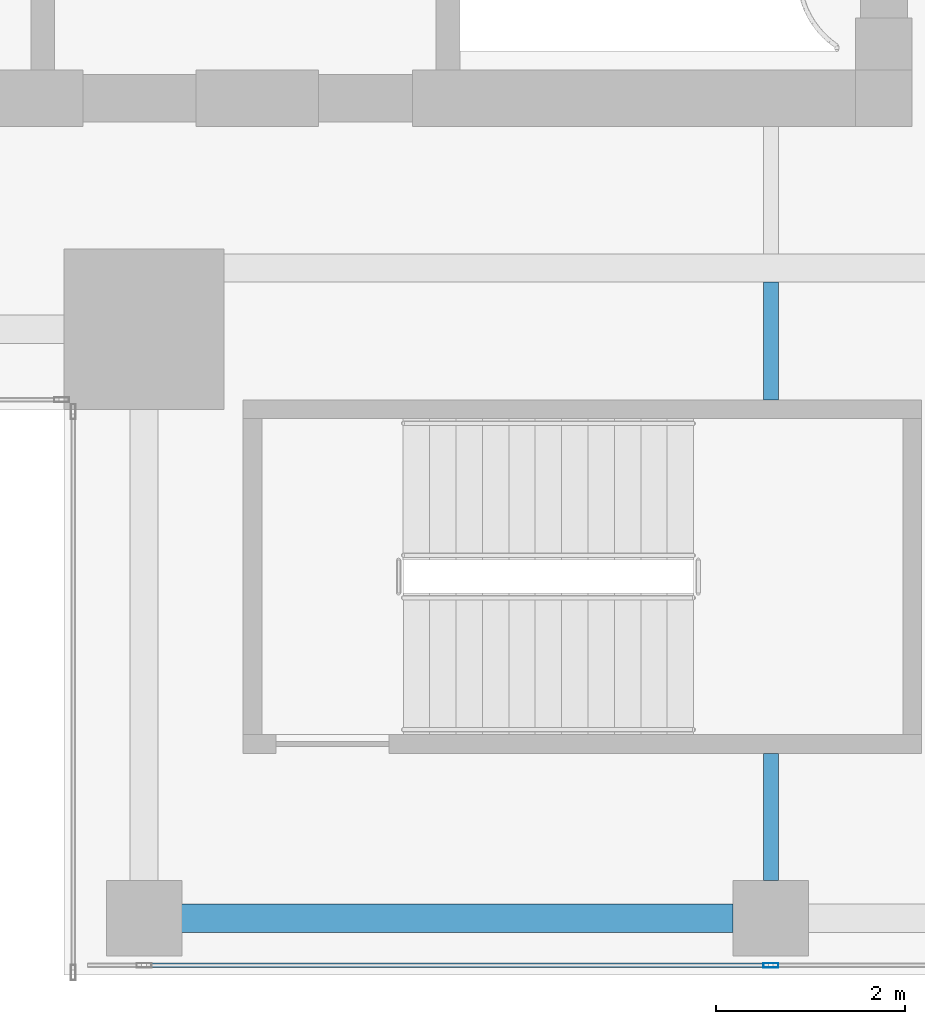
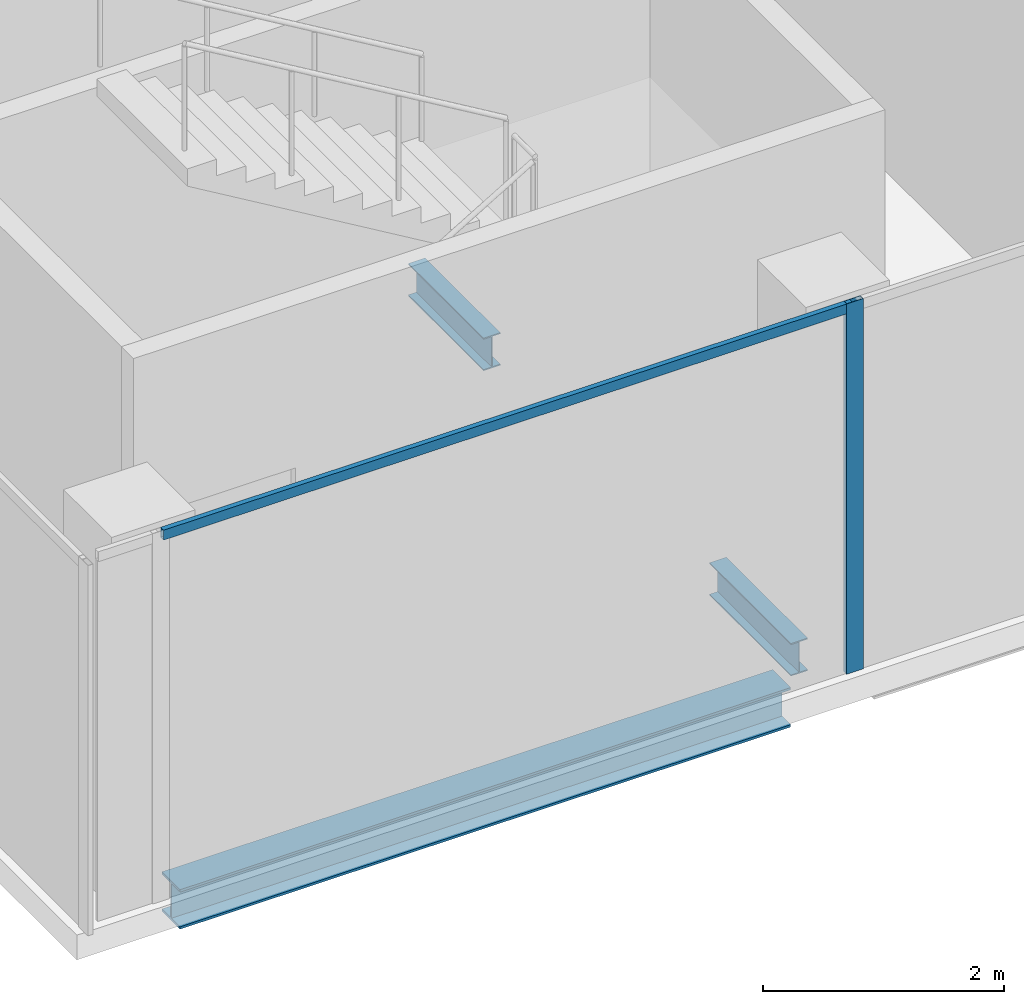
# One storey, part 3 of 29: 3 beams, 2 members, 1 element without a shape of its own.
"""IFC4 building model written with IfcOpenShell, lengths in metres."""

from ifc_helpers import new_model, si_unit, direction, frame, origin, origin_2d, place, context, subcontext, project, spatial, hollow_rectangle, i_section, extrude, source, transform, mapped, material, material_profile, profile_set, type_object, element, aggregate, save


model = new_model("IFC4")

# Units and contexts
model_context = context("Model", 3, precision=1e-05, world=origin(), true_north=direction((0.0, 1.0)))
body_context = subcontext(model_context, "Body", "Model", "MODEL_VIEW")
ifc_project = project(units=[si_unit("LENGTHUNIT", "METRE"), si_unit("AREAUNIT", "SQUARE_METRE"), si_unit("VOLUMEUNIT", "CUBIC_METRE"), si_unit("PLANEANGLEUNIT", "RADIAN"), si_unit("MASSUNIT", "GRAM", prefix="KILO")], contexts=[model_context])

# Site, building, storey
site_placement = place(None, origin())
site = spatial("IfcSite", under=ifc_project, at=site_placement, CompositionType="ELEMENT")
building_placement = place(site_placement, origin())
building = spatial("IfcBuilding", under=site, at=building_placement, Name="Khomas Fold Tower", CompositionType="ELEMENT")
storey_placement = place(building_placement, frame((0.0, 0.0, 322.199951171875)))
storey = spatial("IfcBuildingStorey", under=building, at=storey_placement, Name="L73", CompositionType="ELEMENT", Elevation=322.199951171875)

# Beams
ifc_material_1 = material(Name="Steel S355", Category="steel")
ifc_material_profile_1 = material_profile(ifc_material_1, i_section(OverallWidth=0.159912109375, OverallDepth=0.330078125, WebThickness=0.007568359375, FlangeThickness=0.011474609375, at=origin_2d()), Name="IPE 330")
ifc_profile_set_1 = profile_set([ifc_material_profile_1], Name="Steel S355")
beam_type_1 = type_object("IfcBeamType", Name="IPE 330 beam JB1", PredefinedType="BEAM", material=ifc_profile_set_1)
shared_shape_1 = source(origin(), body_context, "Body", "SweptSolid", [
    extrude(i_section(OverallWidth=0.159912109375, OverallDepth=0.330078125, WebThickness=0.007568359375, FlangeThickness=0.011474609375, at=origin_2d()), origin(), (0.0, 0.0, 1.0), 1.25),
])
beam_1_placement = place(storey_placement, frame((19.5, 12.10009765625, -0.4150390625), z_axis=(0.0, 1.0, 0.0), x_axis=(-1.0, 0.0, 0.0)))
element("IfcBeam", 1, at=beam_1_placement, inside=storey, type_object=beam_type_1, Name="JB1", PredefinedType="BEAM", context=body_context, shape_type="MappedRepresentation", body=[
    mapped(shared_shape_1, transform((0.0, 0.0, 0.0))),
])
shared_shape_2 = source(origin(), body_context, "Body", "SweptSolid", [
    extrude(i_section(OverallWidth=0.159912109375, OverallDepth=0.330078125, WebThickness=0.007568359375, FlangeThickness=0.011474609375, at=origin_2d()), origin(), (0.0, 0.0, 1.0), 1.35009765625),
])
beam_2_placement = place(storey_placement, frame((19.5, 7.0, -0.4150390625), z_axis=(0.0, 1.0, 0.0), x_axis=(-1.0, 0.0, 0.0)))
element("IfcBeam", 2, at=beam_2_placement, inside=storey, type_object=beam_type_1, Name="JB1", PredefinedType="BEAM", context=body_context, shape_type="MappedRepresentation", body=[
    mapped(shared_shape_2, transform((0.0, 0.0, 0.0))),
])
ifc_material_2 = material(Name="Steel S355", Category="steel")
ifc_material_profile_2 = material_profile(ifc_material_2, i_section(OverallWidth=0.300048828125, OverallDepth=0.39990234375, WebThickness=0.013427734375, FlangeThickness=0.02392578125, at=origin_2d()), Name="HE 400 B")
ifc_profile_set_2 = profile_set([ifc_material_profile_2], Name="Steel S355")
beam_type_2 = type_object("IfcBeamType", Name="HE 400 B spandrel SB5", PredefinedType="SPANDREL", material=ifc_profile_set_2)
shared_shape_3 = source(origin(), body_context, "Body", "SweptSolid", [
    extrude(i_section(OverallWidth=0.300048828125, OverallDepth=0.39990234375, WebThickness=0.013427734375, FlangeThickness=0.02392578125, at=origin_2d()), origin(), (0.0, 0.0, 1.0), 5.85009765625),
])
beam_3_placement = place(storey_placement, frame((13.25, 6.60009765625, -0.449951171875), z_axis=(1.0, 0.0, 0.0), x_axis=(0.0, 1.0, 0.0)))
element("IfcBeam", 3, at=beam_3_placement, inside=storey, type_object=beam_type_2, Name="SB5", PredefinedType="SPANDREL", context=body_context, shape_type="MappedRepresentation", body=[
    mapped(shared_shape_3, transform((0.0, 0.0, 0.0))),
])

# Curtain wall, members
ifc_material_3 = material(Name="Aluminium framed double glazing", Category="aluminium")
curtain_wall_type = type_object("IfcCurtainWallType", Name="SK-Unitised clear-glass wall, upper floors CW3", PredefinedType="NOTDEFINED", material=ifc_material_3)
curtain_wall_placement = place(storey_placement, origin())
curtain_wall = element("IfcCurtainWall", 4, at=curtain_wall_placement, inside=storey, type_object=curtain_wall_type, Name="CW3 run L73 00-0", PredefinedType="NOTDEFINED")
ifc_material_4 = material(Name="Aluminium", Category="aluminium")
ifc_material_profile_3 = material_profile(ifc_material_4, hollow_rectangle(XDim=0.050048828125, YDim=0.159912109375, WallThickness=0.00390625, at=origin_2d()), Name="SK-Unitised clear-glass wall, upper floors mullion CW3-M")
ifc_profile_set_3 = profile_set([ifc_material_profile_3], Name="Aluminium")
member_type_1 = type_object("IfcMemberType", Name="SK-Unitised clear-glass wall, upper floors mullion CW3-M", PredefinedType="MULLION", material=ifc_profile_set_3)
shared_shape_4 = source(origin(), body_context, "Body", "SweptSolid", [
    extrude(hollow_rectangle(XDim=0.050048828125, YDim=0.159912109375, WallThickness=0.00390625, at=origin_2d()), origin(), (0.0, 0.0, 1.0), 3.75),
])
member_1_placement = place(storey_placement, frame((19.5, 6.10009765625, 0.0), z_axis=(0.0, 0.0, 1.0), x_axis=(0.0, 1.0, 0.0)))
member_1 = element("IfcMember", 5, at=member_1_placement, type_object=member_type_1, Name="CW3 mullion 3", PredefinedType="MULLION", context=body_context, shape_type="MappedRepresentation", body=[
    mapped(shared_shape_4, transform((0.0, 0.0, 0.0))),
])
ifc_material_5 = material(Name="Aluminium", Category="aluminium")
ifc_material_profile_4 = material_profile(ifc_material_5, hollow_rectangle(XDim=0.050048828125, YDim=0.10009765625, WallThickness=0.00390625, at=origin_2d()), Name="SK-Unitised clear-glass wall, upper floors transom CW3-T")
ifc_profile_set_4 = profile_set([ifc_material_profile_4], Name="Aluminium")
member_type_2 = type_object("IfcMemberType", Name="SK-Unitised clear-glass wall, upper floors transom CW3-T", PredefinedType="USERDEFINED", material=ifc_profile_set_4)
shared_shape_5 = source(origin(), body_context, "Body", "SweptSolid", [
    extrude(hollow_rectangle(XDim=0.050048828125, YDim=0.10009765625, WallThickness=0.00390625, at=origin_2d()), origin(), (0.0, 0.0, 1.0), 6.60009765625),
])
member_2_placement = place(storey_placement, frame((12.875, 6.10009765625, 3.699951171875), z_axis=(1.0, 0.0, 0.0), x_axis=(0.0, 1.0, 0.0)))
member_2 = element("IfcMember", 6, at=member_2_placement, type_object=member_type_2, Name="CW3 transom 2", ObjectType="TRANSOM", PredefinedType="USERDEFINED", context=body_context, shape_type="MappedRepresentation", body=[
    mapped(shared_shape_5, transform((0.0, 0.0, 0.0))),
])
aggregate(curtain_wall, [member_1, member_2])

save(model, "model.ifc")
